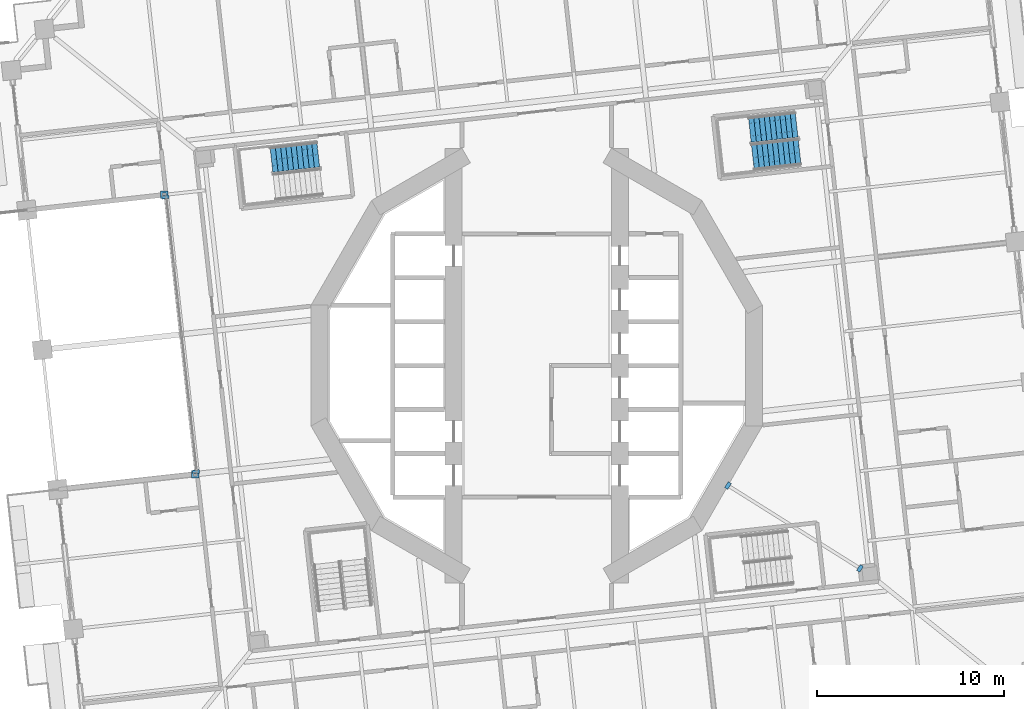
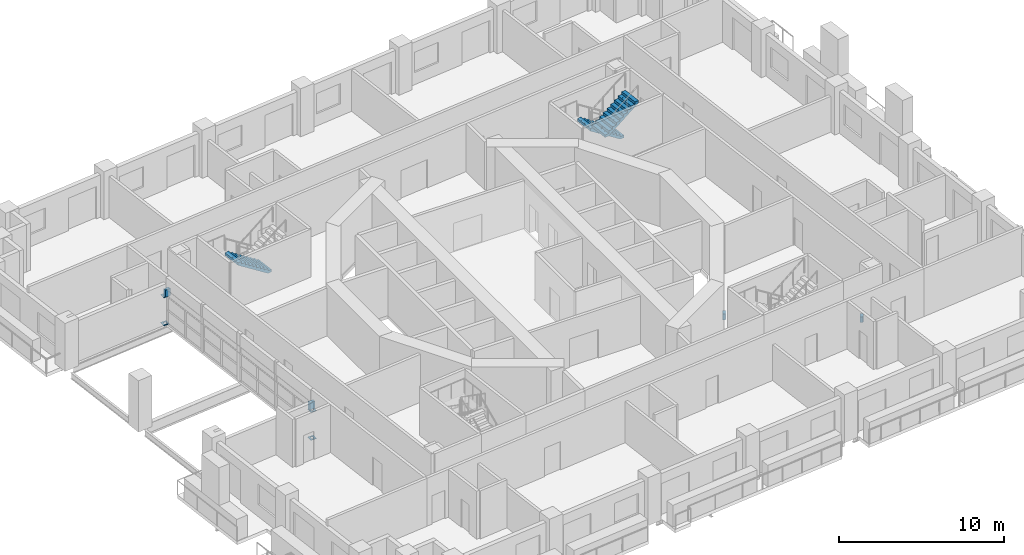
# One storey, part 14 of 21: 8 discrete accessories, 3 stair flights, 2 elements without a shape of their own.
"""IFC4 building model written with IfcOpenShell, lengths in metres."""

import ifcopenshell
import ifcopenshell.guid

model = None  # the IFC model being written
_history = None  # IfcOwnerHistory: only IFC2X3 demands one
_inside = {}  # id of a spatial element -> (the spatial element, [elements in it])
_under = {}  # id of a project, library or spatial element -> (it, [spatial elements below it])
_declared = {}  # id of a project -> (the project, [libraries it declares])
_typed = {}  # id of a type object -> (the type object, [elements of that type])
_made_of = {}  # id of a material, layer set ... -> (it, [elements and type objects made of it])


def new_model(schema):
    """Start an empty IFC model of exactly this schema.

    Asked for "IFC4X3", IfcOpenShell would pick the latest addendum, in which some entities
    have other attributes; the version numbers below select the first issue.
    IFC2X3 requires an IfcOwnerHistory on every rooted entity: one is made here for all.
    """
    global model, _history
    if schema == "IFC4X3":
        model = ifcopenshell.file(schema_version=(4, 3, 0, 0))
    else:
        model = ifcopenshell.file(schema=schema)
    _inside.clear()
    _under.clear()
    _declared.clear()
    _typed.clear()
    _made_of.clear()
    _history = None
    if model.schema == "IFC2X3":
        org = make("IfcOrganization", Name="unknown")
        user = make(
            "IfcPersonAndOrganization",
            ThePerson=make("IfcPerson", FamilyName="unknown"),
            TheOrganization=org,
        )
        app = make(
            "IfcApplication",
            ApplicationDeveloper=org,
            Version="unknown",
            ApplicationFullName="unknown",
            ApplicationIdentifier="unknown",
        )
        _history = make(
            "IfcOwnerHistory",
            OwningUser=user,
            OwningApplication=app,
            ChangeAction="ADDED",
            CreationDate=0,
        )
    return model


def make(cls, **values):
    """One entity of the class cls with the attributes given. An attribute that is None is left unset."""
    return model.create_entity(
        cls, **{name: value for name, value in values.items() if value is not None}
    )


def rooted(cls, **values):
    """An entity with a GlobalId (a new one), such as an element, a storey or a relation."""
    return make(cls, GlobalId=ifcopenshell.guid.new(), OwnerHistory=_history, **values)


def si_unit(unit_type, name, prefix=None):
    """IfcSIUnit, for example si_unit("LENGTHUNIT", "METRE", prefix="MILLI")."""
    return make("IfcSIUnit", UnitType=unit_type, Prefix=prefix, Name=name)


def assignment(units):
    """IfcUnitAssignment: the units of a project."""
    return None if units is None else make("IfcUnitAssignment", Units=units)


def point(xyz):
    """IfcCartesianPoint."""
    return None if xyz is None else make("IfcCartesianPoint", Coordinates=xyz)


def direction(xyz):
    """IfcDirection."""
    return None if xyz is None else make("IfcDirection", DirectionRatios=xyz)


def frame(location, z_axis=None, x_axis=None):
    """IfcAxis2Placement3D, a coordinate frame: its origin and axes. An axis left out is left unset."""
    return make(
        "IfcAxis2Placement3D",
        Location=point(location),
        Axis=direction(z_axis),
        RefDirection=direction(x_axis),
    )


def origin():
    """The frame at (0, 0, 0) with its axes left unset."""
    return frame((0.0, 0.0, 0.0))


def place(relative_to, where):
    """IfcLocalPlacement: puts the frame where relative to a parent placement (None: the world)."""
    return make(
        "IfcLocalPlacement", PlacementRelTo=relative_to, RelativePlacement=where
    )


def context(
    kind, dimensions, precision=None, world=None, true_north=None, identifier=None
):
    """IfcGeometricRepresentationContext, for example the 3D "Model" context."""
    return make(
        "IfcGeometricRepresentationContext",
        ContextIdentifier=identifier,
        ContextType=kind,
        CoordinateSpaceDimension=dimensions,
        Precision=precision,
        WorldCoordinateSystem=world,
        TrueNorth=true_north,
    )


def subcontext(parent, identifier, kind, view, scale=None):
    """IfcGeometricRepresentationSubContext, for example "Body" below "Model"."""
    return make(
        "IfcGeometricRepresentationSubContext",
        ContextIdentifier=identifier,
        ContextType=kind,
        ParentContext=parent,
        TargetScale=scale,
        TargetView=view,
    )


def project(units=None, contexts=None):
    """IfcProject with its units and contexts."""
    return rooted(
        "IfcProject",
        Name="project",
        RepresentationContexts=contexts,
        UnitsInContext=assignment(units),
    )


def spatial(cls, under=None, at=None, **own):
    """A site, building, storey or space (cls), placed at a placement, below another one or the project."""
    s = rooted(cls, ObjectPlacement=at, **own)
    if under is not None:
        _under.setdefault(under.id(), (under, []))[1].append(s)
    return s


def polyline(points):
    """IfcPolyline through the points."""
    return make("IfcPolyline", Points=[point(p) for p in points])


def outline(outer, holes=None, kind="AREA"):
    """IfcArbitraryClosedProfileDef: a profile drawn as a closed curve; with holes, ...WithVoids."""
    if holes is None:
        return make("IfcArbitraryClosedProfileDef", ProfileType=kind, OuterCurve=outer)
    return make(
        "IfcArbitraryProfileDefWithVoids",
        ProfileType=kind,
        OuterCurve=outer,
        InnerCurves=holes,
    )


def extrude(swept, where, along, depth):
    """IfcExtrudedAreaSolid: the profile swept, set in the frame where, extruded along a direction by depth."""
    return make(
        "IfcExtrudedAreaSolid",
        SweptArea=swept,
        Position=where,
        ExtrudedDirection=direction(along),
        Depth=depth,
    )


def shape(context_of_items, identifier, shape_type, items):
    """IfcShapeRepresentation: the items that make up one representation, for example the "Body"."""
    return make(
        "IfcShapeRepresentation",
        ContextOfItems=context_of_items,
        RepresentationIdentifier=identifier,
        RepresentationType=shape_type,
        Items=items,
    )


def material(Name=None, Category=None):
    """IfcMaterial."""
    return make("IfcMaterial", Name=Name, Category=Category)


def layer(
    of_material, thickness, ventilated=None, Name=None, Category=None, Priority=None
):
    """IfcMaterialLayer: one layer of a wall or slab, of a material (None: an air gap)."""
    return make(
        "IfcMaterialLayer",
        Material=of_material,
        LayerThickness=thickness,
        IsVentilated=ventilated,
        Name=Name,
        Category=Category,
        Priority=Priority,
    )


def layer_set(layers, Name=None):
    """IfcMaterialLayerSet."""
    return make("IfcMaterialLayerSet", MaterialLayers=layers, LayerSetName=Name)


def made_of(thing, what):
    """Note that an element or type object is made of a material, layer set ...; save() writes the relation."""
    if what is not None:
        _made_of.setdefault(what.id(), (what, []))[1].append(thing)
    return thing


def type_object(cls, material=None, **own):
    """A type object (cls), such as IfcWallType, which elements share."""
    return made_of(rooted(cls, **own), material)


def element(
    cls,
    number,
    at=None,
    inside=None,
    cuts=None,
    type_object=None,
    material=None,
    context=None,
    identifier="Body",
    shape_type=None,
    held_by="IfcProductDefinitionShape",
    body=None,
    shapes=None,
    **own,
):
    """One element of the class cls, such as IfcWall. Its Tag is "e" and its number.

    at: its placement. inside: the storey or other place that contains it. cuts: it is an
    opening in that element (IfcRelVoidsElement). A single representation is given by context,
    identifier, shape_type and body (its items); several are given by shapes. held_by: the class
    of the entity that holds the representations. save() writes the other relations.
    """
    e = rooted(cls, Tag="e%d" % number, ObjectPlacement=at, **own)
    if body is not None:
        shapes = [shape(context, identifier, shape_type, body)]
    if shapes is not None:
        e.Representation = make(held_by, Representations=shapes)
    if inside is not None:
        _inside.setdefault(inside.id(), (inside, []))[1].append(e)
    if cuts is not None:
        rooted(
            "IfcRelVoidsElement", RelatingBuildingElement=cuts, RelatedOpeningElement=e
        )
    if type_object is not None:
        _typed.setdefault(type_object.id(), (type_object, []))[1].append(e)
    return made_of(e, material)


def aggregate(whole, parts):
    """IfcRelAggregates: a whole, such as a stair, and the parts it consists of."""
    return rooted("IfcRelAggregates", RelatingObject=whole, RelatedObjects=parts)


def save(model, path):
    """Write the relations noted so far, then the file.

    IfcRelAggregates (storeys below a building ...), IfcRelContainedInSpatialStructure (elements
    in a storey), IfcRelDefinesByType, IfcRelAssociatesMaterial and IfcRelDeclares: one each for
    every whole, place, type object, material and project.
    """
    for whole, parts in _under.values():
        aggregate(whole, parts)
    for where, things in _inside.values():
        rooted(
            "IfcRelContainedInSpatialStructure",
            RelatedElements=things,
            RelatingStructure=where,
        )
    for kind, things in _typed.values():
        rooted("IfcRelDefinesByType", RelatedObjects=things, RelatingType=kind)
    for what, things in _made_of.values():
        rooted("IfcRelAssociatesMaterial", RelatedObjects=things, RelatingMaterial=what)
    for by, libraries in _declared.values():
        rooted("IfcRelDeclares", RelatingContext=by, RelatedDefinitions=libraries)
    model.write(path)


model = new_model("IFC4")

# Units and contexts
model_context = context("Model", 3, precision=1e-05, world=origin(), true_north=direction((0.0, 1.0)))
body_context = subcontext(model_context, "Body", "Model", "MODEL_VIEW")
ifc_project = project(units=[si_unit("LENGTHUNIT", "METRE"), si_unit("AREAUNIT", "SQUARE_METRE"), si_unit("VOLUMEUNIT", "CUBIC_METRE"), si_unit("PLANEANGLEUNIT", "RADIAN"), si_unit("MASSUNIT", "GRAM", prefix="KILO")], contexts=[model_context])

# Site, building, storey
site_placement = place(None, origin())
site = spatial("IfcSite", under=ifc_project, at=site_placement, CompositionType="ELEMENT")
building_placement = place(site_placement, origin())
building = spatial("IfcBuilding", under=site, at=building_placement, Name="Cantera Rosa Tower", CompositionType="ELEMENT")
storey_placement = place(building_placement, frame((0.0, 0.0, 72.89990234375)))
storey = spatial("IfcBuildingStorey", under=building, at=storey_placement, Name="L15", CompositionType="ELEMENT", Elevation=72.89990234375)

# Stair, stair flights
ifc_material_1 = material(Name="Concrete C35/45", Category="concrete")
stair_type = type_object("IfcStairType", Name="EXIT STAIR 1350 DOGLEG", PredefinedType="HALF_TURN_STAIR", material=ifc_material_1)
stair_1_placement = place(storey_placement, origin())
stair_1 = element("IfcStair", 1, at=stair_1_placement, inside=storey, type_object=stair_type, Name="L15 ST-11", PredefinedType="HALF_TURN_STAIR")
ifc_material_2 = material(Name="Concrete C35/45", Category="concrete")
stair_flight_type = type_object("IfcStairFlightType", Name="STAIR FLIGHT 1350 R20x190", PredefinedType="STRAIGHT", material=ifc_material_2)
stair_flight_1_placement = place(storey_placement, frame((13.90869140625, 12.89990234375, 0.0), z_axis=(0.0, 0.0, 1.0), x_axis=(-0.993896947056, -0.110312549749, 0.0)))
stair_flight_1 = element("IfcStairFlight", 2, at=stair_flight_1_placement, type_object=stair_flight_type, Name="ST-11 flight 1", NumberOfRisers=10, NumberOfTreads=9, PredefinedType="STRAIGHT", RiserHeight=0.19, TreadLength=0.28, context=body_context, shape_type="SweptSolid", body=[
    extrude(outline(polyline([(0.0, 0.0), (0.0, 0.18994140625), (0.280029296875, 0.18994140625), (0.280029296875, 0.3798828125), (0.56005859375, 0.3798828125), (0.56005859375, 0.570068359375), (0.840087890625, 0.570068359375), (0.840087890625, 0.760009765625), (1.1201171875, 0.760009765625), (1.1201171875, 0.949951171875), (1.39990234375, 0.949951171875), (1.39990234375, 1.139892578125), (1.679931640625, 1.139892578125), (1.679931640625, 1.330078125), (1.9599609375, 1.330078125), (1.9599609375, 1.52001953125), (2.239990234375, 1.52001953125), (2.239990234375, 1.7099609375), (2.52001953125, 1.7099609375), (2.52001953125, 1.89990234375), (2.52001953125, 1.52880859375), (0.266845703125, 0.0), (0.0, 0.0)])), frame((0.0, 0.675048828125, 0.0), z_axis=(0.0, -1.0, 0.0), x_axis=(1.0, 0.0, 0.0)), (0.0, 0.0, 1.0), 0.3359375),
    extrude(outline(polyline([(0.0, 0.0), (0.0, 0.18994140625), (0.280029296875, 0.18994140625), (0.280029296875, 0.3798828125), (0.56005859375, 0.3798828125), (0.56005859375, 0.570068359375), (0.840087890625, 0.570068359375), (0.840087890625, 0.760009765625), (1.1201171875, 0.760009765625), (1.1201171875, 0.949951171875), (1.39990234375, 0.949951171875), (1.39990234375, 1.139892578125), (1.679931640625, 1.139892578125), (1.679931640625, 1.330078125), (1.9599609375, 1.330078125), (1.9599609375, 1.52001953125), (2.239990234375, 1.52001953125), (2.239990234375, 1.7099609375), (2.52001953125, 1.7099609375), (2.52001953125, 1.89990234375), (2.52001953125, 1.52880859375), (0.266845703125, 0.0), (0.0, 0.0)])), frame((0.0, 0.337158203125, 0.0), z_axis=(0.0, -1.0, 0.0), x_axis=(1.0, 0.0, 0.0)), (0.0, 0.0, 1.0), 0.3359375),
    extrude(outline(polyline([(0.0, 0.0), (0.0, 0.18994140625), (0.280029296875, 0.18994140625), (0.280029296875, 0.3798828125), (0.56005859375, 0.3798828125), (0.56005859375, 0.570068359375), (0.840087890625, 0.570068359375), (0.840087890625, 0.760009765625), (1.1201171875, 0.760009765625), (1.1201171875, 0.949951171875), (1.39990234375, 0.949951171875), (1.39990234375, 1.139892578125), (1.679931640625, 1.139892578125), (1.679931640625, 1.330078125), (1.9599609375, 1.330078125), (1.9599609375, 1.52001953125), (2.239990234375, 1.52001953125), (2.239990234375, 1.7099609375), (2.52001953125, 1.7099609375), (2.52001953125, 1.89990234375), (2.52001953125, 1.52880859375), (0.266845703125, 0.0), (0.0, 0.0)])), frame((0.0, -0.000732421875, 0.0), z_axis=(0.0, -1.0, 0.0), x_axis=(1.0, 0.0, 0.0)), (0.0, 0.0, 1.0), 0.3359375),
    extrude(outline(polyline([(0.0, 0.0), (0.0, 0.18994140625), (0.280029296875, 0.18994140625), (0.280029296875, 0.3798828125), (0.56005859375, 0.3798828125), (0.56005859375, 0.570068359375), (0.840087890625, 0.570068359375), (0.840087890625, 0.760009765625), (1.1201171875, 0.760009765625), (1.1201171875, 0.949951171875), (1.39990234375, 0.949951171875), (1.39990234375, 1.139892578125), (1.679931640625, 1.139892578125), (1.679931640625, 1.330078125), (1.9599609375, 1.330078125), (1.9599609375, 1.52001953125), (2.239990234375, 1.52001953125), (2.239990234375, 1.7099609375), (2.52001953125, 1.7099609375), (2.52001953125, 1.89990234375), (2.52001953125, 1.52880859375), (0.266845703125, 0.0), (0.0, 0.0)])), frame((0.0, -0.338623046875, 0.0), z_axis=(0.0, -1.0, 0.0), x_axis=(1.0, 0.0, 0.0)), (0.0, 0.0, 1.0), 0.3359375),
])
stair_flight_2_placement = place(storey_placement, frame((11.569580078125, 11.131103515625, 1.900146484375), z_axis=(0.0, 0.0, 1.0), x_axis=(0.993896947056, 0.110312549749, 0.0)))
stair_flight_2 = element("IfcStairFlight", 3, at=stair_flight_2_placement, type_object=stair_flight_type, Name="ST-11 flight 2", NumberOfRisers=10, NumberOfTreads=9, PredefinedType="STRAIGHT", RiserHeight=0.19, TreadLength=0.28, context=body_context, shape_type="SweptSolid", body=[
    extrude(outline(polyline([(0.0, 0.0), (0.0, 0.18994140625), (0.280029296875, 0.18994140625), (0.280029296875, 0.3798828125), (0.56005859375, 0.3798828125), (0.56005859375, 0.570068359375), (0.840087890625, 0.570068359375), (0.840087890625, 0.760009765625), (1.1201171875, 0.760009765625), (1.1201171875, 0.949951171875), (1.39990234375, 0.949951171875), (1.39990234375, 1.139892578125), (1.679931640625, 1.139892578125), (1.679931640625, 1.330078125), (1.9599609375, 1.330078125), (1.9599609375, 1.52001953125), (2.239990234375, 1.52001953125), (2.239990234375, 1.7099609375), (2.52001953125, 1.7099609375), (2.52001953125, 1.89990234375), (2.52001953125, 1.52880859375), (0.266845703125, 0.0), (0.0, 0.0)])), frame((0.0, 0.675048828125, 0.0), z_axis=(0.0, -1.0, 0.0), x_axis=(1.0, 0.0, 0.0)), (0.0, 0.0, 1.0), 0.3359375),
    extrude(outline(polyline([(0.0, 0.0), (0.0, 0.18994140625), (0.280029296875, 0.18994140625), (0.280029296875, 0.3798828125), (0.56005859375, 0.3798828125), (0.56005859375, 0.570068359375), (0.840087890625, 0.570068359375), (0.840087890625, 0.760009765625), (1.1201171875, 0.760009765625), (1.1201171875, 0.949951171875), (1.39990234375, 0.949951171875), (1.39990234375, 1.139892578125), (1.679931640625, 1.139892578125), (1.679931640625, 1.330078125), (1.9599609375, 1.330078125), (1.9599609375, 1.52001953125), (2.239990234375, 1.52001953125), (2.239990234375, 1.7099609375), (2.52001953125, 1.7099609375), (2.52001953125, 1.89990234375), (2.52001953125, 1.52880859375), (0.266845703125, 0.0), (0.0, 0.0)])), frame((0.0, 0.337158203125, 0.0), z_axis=(0.0, -1.0, 0.0), x_axis=(1.0, 0.0, 0.0)), (0.0, 0.0, 1.0), 0.3359375),
    extrude(outline(polyline([(0.0, 0.0), (0.0, 0.18994140625), (0.280029296875, 0.18994140625), (0.280029296875, 0.3798828125), (0.56005859375, 0.3798828125), (0.56005859375, 0.570068359375), (0.840087890625, 0.570068359375), (0.840087890625, 0.760009765625), (1.1201171875, 0.760009765625), (1.1201171875, 0.949951171875), (1.39990234375, 0.949951171875), (1.39990234375, 1.139892578125), (1.679931640625, 1.139892578125), (1.679931640625, 1.330078125), (1.9599609375, 1.330078125), (1.9599609375, 1.52001953125), (2.239990234375, 1.52001953125), (2.239990234375, 1.7099609375), (2.52001953125, 1.7099609375), (2.52001953125, 1.89990234375), (2.52001953125, 1.52880859375), (0.266845703125, 0.0), (0.0, 0.0)])), frame((0.0, -0.000732421875, 0.0), z_axis=(0.0, -1.0, 0.0), x_axis=(1.0, 0.0, 0.0)), (0.0, 0.0, 1.0), 0.3359375),
    extrude(outline(polyline([(0.0, 0.0), (0.0, 0.18994140625), (0.280029296875, 0.18994140625), (0.280029296875, 0.3798828125), (0.56005859375, 0.3798828125), (0.56005859375, 0.570068359375), (0.840087890625, 0.570068359375), (0.840087890625, 0.760009765625), (1.1201171875, 0.760009765625), (1.1201171875, 0.949951171875), (1.39990234375, 0.949951171875), (1.39990234375, 1.139892578125), (1.679931640625, 1.139892578125), (1.679931640625, 1.330078125), (1.9599609375, 1.330078125), (1.9599609375, 1.52001953125), (2.239990234375, 1.52001953125), (2.239990234375, 1.7099609375), (2.52001953125, 1.7099609375), (2.52001953125, 1.89990234375), (2.52001953125, 1.52880859375), (0.266845703125, 0.0), (0.0, 0.0)])), frame((0.0, -0.338623046875, 0.0), z_axis=(0.0, -1.0, 0.0), x_axis=(1.0, 0.0, 0.0)), (0.0, 0.0, 1.0), 0.3359375),
])
aggregate(stair_1, [stair_flight_1, stair_flight_2])

# Stair, stair flight
stair_2_placement = place(storey_placement, origin())
stair_2 = element("IfcStair", 4, at=stair_2_placement, inside=storey, type_object=stair_type, Name="L15 ST-12", PredefinedType="HALF_TURN_STAIR")
stair_flight_3_placement = place(storey_placement, frame((-11.691162109375, 11.2998046875, 0.0), z_axis=(0.0, 0.0, 1.0), x_axis=(-0.993896947056, -0.110312549749, 0.0)))
stair_flight_3 = element("IfcStairFlight", 5, at=stair_flight_3_placement, type_object=stair_flight_type, Name="ST-12 flight 1", NumberOfRisers=10, NumberOfTreads=9, PredefinedType="STRAIGHT", RiserHeight=0.19, TreadLength=0.28, context=body_context, shape_type="SweptSolid", body=[
    extrude(outline(polyline([(0.0, 0.0), (0.0, 0.18994140625), (0.280029296875, 0.18994140625), (0.280029296875, 0.3798828125), (0.56005859375, 0.3798828125), (0.56005859375, 0.570068359375), (0.840087890625, 0.570068359375), (0.840087890625, 0.760009765625), (1.1201171875, 0.760009765625), (1.1201171875, 0.949951171875), (1.39990234375, 0.949951171875), (1.39990234375, 1.139892578125), (1.679931640625, 1.139892578125), (1.679931640625, 1.330078125), (1.9599609375, 1.330078125), (1.9599609375, 1.52001953125), (2.239990234375, 1.52001953125), (2.239990234375, 1.7099609375), (2.52001953125, 1.7099609375), (2.52001953125, 1.89990234375), (2.52001953125, 1.52880859375), (0.266845703125, 0.0), (0.0, 0.0)])), frame((0.0, 0.675048828125, 0.0), z_axis=(0.0, -1.0, 0.0), x_axis=(1.0, 0.0, 0.0)), (0.0, 0.0, 1.0), 0.3359375),
    extrude(outline(polyline([(0.0, 0.0), (0.0, 0.18994140625), (0.280029296875, 0.18994140625), (0.280029296875, 0.3798828125), (0.56005859375, 0.3798828125), (0.56005859375, 0.570068359375), (0.840087890625, 0.570068359375), (0.840087890625, 0.760009765625), (1.1201171875, 0.760009765625), (1.1201171875, 0.949951171875), (1.39990234375, 0.949951171875), (1.39990234375, 1.139892578125), (1.679931640625, 1.139892578125), (1.679931640625, 1.330078125), (1.9599609375, 1.330078125), (1.9599609375, 1.52001953125), (2.239990234375, 1.52001953125), (2.239990234375, 1.7099609375), (2.52001953125, 1.7099609375), (2.52001953125, 1.89990234375), (2.52001953125, 1.52880859375), (0.266845703125, 0.0), (0.0, 0.0)])), frame((0.0, 0.337158203125, 0.0), z_axis=(0.0, -1.0, 0.0), x_axis=(1.0, 0.0, 0.0)), (0.0, 0.0, 1.0), 0.3359375),
    extrude(outline(polyline([(0.0, 0.0), (0.0, 0.18994140625), (0.280029296875, 0.18994140625), (0.280029296875, 0.3798828125), (0.56005859375, 0.3798828125), (0.56005859375, 0.570068359375), (0.840087890625, 0.570068359375), (0.840087890625, 0.760009765625), (1.1201171875, 0.760009765625), (1.1201171875, 0.949951171875), (1.39990234375, 0.949951171875), (1.39990234375, 1.139892578125), (1.679931640625, 1.139892578125), (1.679931640625, 1.330078125), (1.9599609375, 1.330078125), (1.9599609375, 1.52001953125), (2.239990234375, 1.52001953125), (2.239990234375, 1.7099609375), (2.52001953125, 1.7099609375), (2.52001953125, 1.89990234375), (2.52001953125, 1.52880859375), (0.266845703125, 0.0), (0.0, 0.0)])), frame((0.0, -0.000732421875, 0.0), z_axis=(0.0, -1.0, 0.0), x_axis=(1.0, 0.0, 0.0)), (0.0, 0.0, 1.0), 0.3359375),
    extrude(outline(polyline([(0.0, 0.0), (0.0, 0.18994140625), (0.280029296875, 0.18994140625), (0.280029296875, 0.3798828125), (0.56005859375, 0.3798828125), (0.56005859375, 0.570068359375), (0.840087890625, 0.570068359375), (0.840087890625, 0.760009765625), (1.1201171875, 0.760009765625), (1.1201171875, 0.949951171875), (1.39990234375, 0.949951171875), (1.39990234375, 1.139892578125), (1.679931640625, 1.139892578125), (1.679931640625, 1.330078125), (1.9599609375, 1.330078125), (1.9599609375, 1.52001953125), (2.239990234375, 1.52001953125), (2.239990234375, 1.7099609375), (2.52001953125, 1.7099609375), (2.52001953125, 1.89990234375), (2.52001953125, 1.52880859375), (0.266845703125, 0.0), (0.0, 0.0)])), frame((0.0, -0.338623046875, 0.0), z_axis=(0.0, -1.0, 0.0), x_axis=(1.0, 0.0, 0.0)), (0.0, 0.0, 1.0), 0.3359375),
])
aggregate(stair_2, [stair_flight_3])

# Discrete accessories
ifc_material_3 = material(Name="Steel ASTM A992 (Fy 345 MPa)", Category="steel")
ifc_layer = layer(ifc_material_3, 0.0400390625)
ifc_layer_set = layer_set([ifc_layer], Name="STEEL BEARING PLATE 40")
discrete_accessory_type = type_object("IfcDiscreteAccessoryType", Name="STEEL BEARING PLATE 40", PredefinedType="ANCHORPLATE", material=ifc_layer_set)
discrete_accessory_1_placement = place(storey_placement, frame((0.0, 0.0, -0.727783203125)))
element("IfcDiscreteAccessory", 6, at=discrete_accessory_1_placement, inside=storey, type_object=discrete_accessory_type, Name="BEARING PLATE PG-Z1-01 end 1 L15", PredefinedType="ANCHORPLATE", context=body_context, shape_type="SweptSolid", body=[
    extrude(outline(polyline([(17.12060546875, -10.952392578125), (17.2900390625, -11.05859375), (17.484619140625, -10.74853515625), (17.315185546875, -10.642333984375), (17.12060546875, -10.952392578125)])), origin(), (0.0, 0.0, 1.0), 0.427978515625),
])
discrete_accessory_2_placement = place(storey_placement, frame((0.0, 0.0, -0.727783203125)))
element("IfcDiscreteAccessory", 7, at=discrete_accessory_2_placement, inside=storey, type_object=discrete_accessory_type, Name="BEARING PLATE PG-Z1-01 end 2 L15", PredefinedType="ANCHORPLATE", context=body_context, shape_type="SweptSolid", body=[
    extrude(outline(polyline([(10.41796875, -6.317138671875), (10.248291015625, -6.210693359375), (10.053955078125, -6.52099609375), (10.223388671875, -6.627197265625), (10.41796875, -6.317138671875)])), origin(), (0.0, 0.0, 1.0), 0.427978515625),
])
for number, where, name in (
    (8, (0.0, 0.0, 0.0), "POST PLATE L15-1F"),
    (9, (0.0, 0.0, 2.066162109375), "POST PLATE L15-1T"),
):
    element("IfcDiscreteAccessory", number, at=place(storey_placement, frame(where)), inside=storey, type_object=discrete_accessory_type, Name=name, PredefinedType="ANCHORPLATE", context=body_context, shape_type="SweptSolid", body=[
        extrude(outline(polyline([(-20.129638671875, 8.937255859375), (-19.7294921875, 8.937255859375), (-19.7294921875, 9.33740234375), (-20.129638671875, 9.33740234375), (-20.129638671875, 8.937255859375)]), holes=[polyline([(-20.029541015625, 9.037353515625), (-19.82958984375, 9.037353515625), (-19.82958984375, 9.2373046875), (-20.029541015625, 9.2373046875), (-20.029541015625, 9.037353515625)])]), origin(), (0.0, 0.0, 1.0), 0.0400390625),
    ])
for number, where, name in (
    (10, (0.0, 0.0, 0.0), "POST PLATE L15-2F"),
    (11, (0.0, 0.0, 2.066162109375), "POST PLATE L15-2T"),
):
    element("IfcDiscreteAccessory", number, at=place(storey_placement, frame(where)), inside=storey, type_object=discrete_accessory_type, Name=name, PredefinedType="ANCHORPLATE", context=body_context, shape_type="SweptSolid", body=[
        extrude(outline(polyline([(-18.470458984375, -6.010986328125), (-18.070556640625, -6.010986328125), (-18.070556640625, -5.61083984375), (-18.470458984375, -5.61083984375), (-18.470458984375, -6.010986328125)]), holes=[polyline([(-18.37060546875, -5.910888671875), (-18.17041015625, -5.910888671875), (-18.17041015625, -5.7109375), (-18.37060546875, -5.7109375), (-18.37060546875, -5.910888671875)])]), origin(), (0.0, 0.0, 1.0), 0.0400390625),
    ])
discrete_accessory_3_placement = place(storey_placement, frame((0.0, 0.0, 2.106201171875)))
element("IfcDiscreteAccessory", 12, at=discrete_accessory_3_placement, inside=storey, type_object=discrete_accessory_type, Name="LINTEL PLATE L15-1", PredefinedType="ANCHORPLATE", context=body_context, shape_type="SweptSolid", body=[
    extrude(outline(polyline([(-19.673095703125, 8.939453125), (-19.6953125, 9.13818359375), (-20.05908203125, 9.097900390625), (-20.037109375, 8.89892578125), (-19.673095703125, 8.939453125)])), origin(), (0.0, 0.0, 1.0), 0.52783203125),
])
discrete_accessory_4_placement = place(storey_placement, frame((0.0, 0.0, 2.106201171875)))
element("IfcDiscreteAccessory", 13, at=discrete_accessory_4_placement, inside=storey, type_object=discrete_accessory_type, Name="LINTEL PLATE L15-2", PredefinedType="ANCHORPLATE", context=body_context, shape_type="SweptSolid", body=[
    extrude(outline(polyline([(-18.427490234375, -5.60205078125), (-18.405517578125, -5.80078125), (-18.041748046875, -5.760498046875), (-18.063720703125, -5.5615234375), (-18.427490234375, -5.60205078125)])), origin(), (0.0, 0.0, 1.0), 0.52783203125),
])

save(model, "model.ifc")
